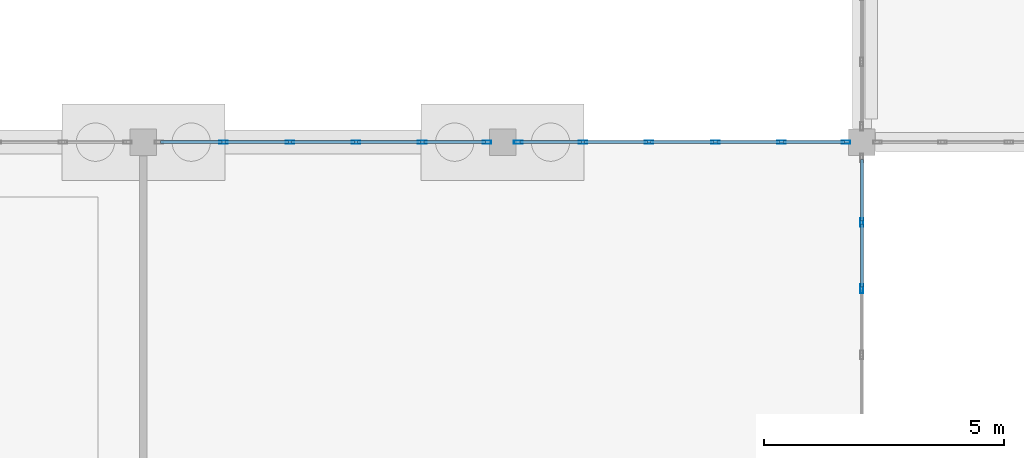
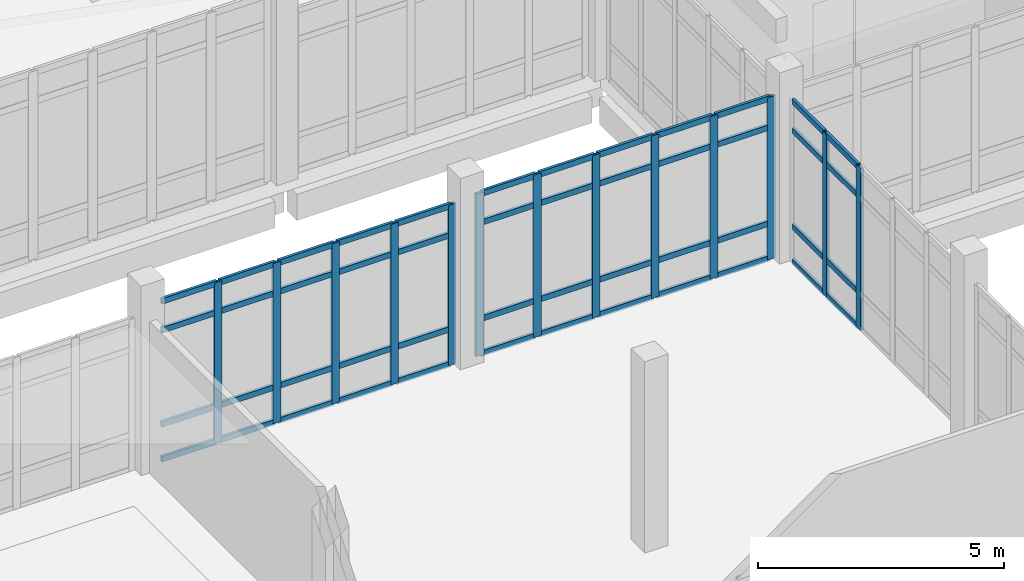
# One storey, part 61 of 173: 61 members, 3 elements without a shape of their own.
"""IFC4 building model written with IfcOpenShell, lengths in metres."""

from ifc_helpers import new_model, si_unit, direction, frame, origin, origin_2d, place, context, subcontext, project, spatial, hollow_rectangle, extrude, material, layer, layer_set, material_profile, profile_set, type_object, element, aggregate, save


model = new_model("IFC4")

# Units and contexts
model_context = context("Model", 3, precision=1e-05, world=origin(), true_north=direction((0.0, 1.0)))
body_context = subcontext(model_context, "Body", "Model", "MODEL_VIEW")
ifc_project = project(units=[si_unit("LENGTHUNIT", "METRE"), si_unit("AREAUNIT", "SQUARE_METRE"), si_unit("VOLUMEUNIT", "CUBIC_METRE"), si_unit("PLANEANGLEUNIT", "RADIAN"), si_unit("MASSUNIT", "GRAM", prefix="KILO")], contexts=[model_context])

# Site, building, storey
site_placement = place(None, origin())
site = spatial("IfcSite", under=ifc_project, at=site_placement, CompositionType="ELEMENT")
building_placement = place(site_placement, origin())
building = spatial("IfcBuilding", under=site, at=building_placement, Name="Mawjan Specialist Oncology Clinic", CompositionType="ELEMENT")
storey_placement = place(building_placement, origin())
storey = spatial("IfcBuildingStorey", under=building, at=storey_placement, Name="L00", CompositionType="ELEMENT", Elevation=0.0)

# Curtain wall, members
ifc_material_1 = material(Name="Unitised spectrally selective aluminium curtain wall", Category="aluminium")
ifc_layer_1 = layer(ifc_material_1, 0.179931640625, Name="Unitised spectrally selective aluminium curtain wall", Category="aluminium")
ifc_layer_set_1 = layer_set([ifc_layer_1], Name="Unitised spectrally selective aluminium curtain wall")
curtain_wall_type_1 = type_object("IfcCurtainWallType", Name="CW-08", PredefinedType="NOTDEFINED", material=ifc_layer_set_1)
curtain_wall_1_placement = place(storey_placement, origin())
curtain_wall_1 = element("IfcCurtainWall", 1, at=curtain_wall_1_placement, inside=storey, type_object=curtain_wall_type_1, Name="L00 Unitised Curtain Wall CW-L00-013", PredefinedType="NOTDEFINED")
ifc_material_2 = material(Name="Thermally broken aluminium 6063-T6", Category="aluminium")
ifc_material_profile_1 = material_profile(ifc_material_2, hollow_rectangle(XDim=0.06494140625, YDim=0.179931640625, WallThickness=0.00390625, at=origin_2d()), Name="ALU MULLION 180x65x4", Category="aluminium")
ifc_profile_set_1 = profile_set([ifc_material_profile_1], Name="Thermally broken aluminium 6063-T6")
member_type_1 = type_object("IfcMemberType", Name="CW-M180", PredefinedType="MULLION", material=ifc_profile_set_1)
member_1_placement = place(storey_placement, frame((31.677001953125, 75.800048828125, 0.0), z_axis=(0.0, 0.0, 1.0), x_axis=(0.0, 1.0, 0.0)))
member_1 = element("IfcMember", 2, at=member_1_placement, type_object=member_type_1, Name="CW-08 mullion 2", PredefinedType="MULLION", context=body_context, shape_type="SweptSolid", body=[
    extrude(hollow_rectangle(XDim=0.06494140625, YDim=0.179931640625, WallThickness=0.00390625, at=origin_2d()), origin(), (0.0, 0.0, 1.0), 3.985107421875),
])
member_2_placement = place(storey_placement, frame((33.05908203125, 75.800048828125, 0.0), z_axis=(0.0, 0.0, 1.0), x_axis=(0.0, 1.0, 0.0)))
member_2 = element("IfcMember", 3, at=member_2_placement, type_object=member_type_1, Name="CW-08 mullion 3", PredefinedType="MULLION", context=body_context, shape_type="SweptSolid", body=[
    extrude(hollow_rectangle(XDim=0.06494140625, YDim=0.179931640625, WallThickness=0.00390625, at=origin_2d()), origin(), (0.0, 0.0, 1.0), 3.985107421875),
])
member_3_placement = place(storey_placement, frame((34.44091796875, 75.800048828125, 0.0), z_axis=(0.0, 0.0, 1.0), x_axis=(0.0, 1.0, 0.0)))
member_3 = element("IfcMember", 4, at=member_3_placement, type_object=member_type_1, Name="CW-08 mullion 4", PredefinedType="MULLION", context=body_context, shape_type="SweptSolid", body=[
    extrude(hollow_rectangle(XDim=0.06494140625, YDim=0.179931640625, WallThickness=0.00390625, at=origin_2d()), origin(), (0.0, 0.0, 1.0), 3.985107421875),
])
member_4_placement = place(storey_placement, frame((35.822998046875, 75.800048828125, 0.0), z_axis=(0.0, 0.0, 1.0), x_axis=(0.0, 1.0, 0.0)))
member_4 = element("IfcMember", 5, at=member_4_placement, type_object=member_type_1, Name="CW-08 mullion 5", PredefinedType="MULLION", context=body_context, shape_type="SweptSolid", body=[
    extrude(hollow_rectangle(XDim=0.06494140625, YDim=0.179931640625, WallThickness=0.00390625, at=origin_2d()), origin(), (0.0, 0.0, 1.0), 3.985107421875),
])
member_5_placement = place(storey_placement, frame((37.172607421875, 75.800048828125, 0.0), z_axis=(0.0, 0.0, 1.0), x_axis=(0.0, 1.0, 0.0)))
member_5 = element("IfcMember", 6, at=member_5_placement, type_object=member_type_1, Name="CW-08 mullion 6", PredefinedType="MULLION", context=body_context, shape_type="SweptSolid", body=[
    extrude(hollow_rectangle(XDim=0.06494140625, YDim=0.179931640625, WallThickness=0.00390625, at=origin_2d()), origin(), (0.0, 0.0, 1.0), 3.985107421875),
])

ifc_material_3 = material(Name="Unitised spectrally selective aluminium curtain wall", Category="aluminium")
ifc_layer_2 = layer(ifc_material_3, 0.179931640625, Name="Unitised spectrally selective aluminium curtain wall", Category="aluminium")
ifc_layer_set_2 = layer_set([ifc_layer_2], Name="Unitised spectrally selective aluminium curtain wall")
curtain_wall_type_2 = type_object("IfcCurtainWallType", Name="CW-09", PredefinedType="NOTDEFINED", material=ifc_layer_set_2)
curtain_wall_2_placement = place(storey_placement, origin())
curtain_wall_2 = element("IfcCurtainWall", 7, at=curtain_wall_2_placement, inside=storey, type_object=curtain_wall_type_2, Name="L00 Unitised Curtain Wall CW-L00-014", PredefinedType="NOTDEFINED")
member_6_placement = place(storey_placement, frame((37.827392578125, 75.800048828125, 0.0), z_axis=(0.0, 0.0, 1.0), x_axis=(0.0, 1.0, 0.0)))
member_6 = element("IfcMember", 8, at=member_6_placement, type_object=member_type_1, Name="CW-09 mullion 1", PredefinedType="MULLION", context=body_context, shape_type="SweptSolid", body=[
    extrude(hollow_rectangle(XDim=0.06494140625, YDim=0.179931640625, WallThickness=0.00390625, at=origin_2d()), origin(), (0.0, 0.0, 1.0), 4.034912109375),
])
member_7_placement = place(storey_placement, frame((39.177001953125, 75.800048828125, 0.0), z_axis=(0.0, 0.0, 1.0), x_axis=(0.0, 1.0, 0.0)))
member_7 = element("IfcMember", 9, at=member_7_placement, type_object=member_type_1, Name="CW-09 mullion 2", PredefinedType="MULLION", context=body_context, shape_type="SweptSolid", body=[
    extrude(hollow_rectangle(XDim=0.06494140625, YDim=0.179931640625, WallThickness=0.00390625, at=origin_2d()), origin(), (0.0, 0.0, 1.0), 4.034912109375),
])
member_8_placement = place(storey_placement, frame((40.55908203125, 75.800048828125, 0.0), z_axis=(0.0, 0.0, 1.0), x_axis=(0.0, 1.0, 0.0)))
member_8 = element("IfcMember", 10, at=member_8_placement, type_object=member_type_1, Name="CW-09 mullion 3", PredefinedType="MULLION", context=body_context, shape_type="SweptSolid", body=[
    extrude(hollow_rectangle(XDim=0.06494140625, YDim=0.179931640625, WallThickness=0.00390625, at=origin_2d()), origin(), (0.0, 0.0, 1.0), 4.034912109375),
])
member_9_placement = place(storey_placement, frame((41.94091796875, 75.800048828125, 0.0), z_axis=(0.0, 0.0, 1.0), x_axis=(0.0, 1.0, 0.0)))
member_9 = element("IfcMember", 11, at=member_9_placement, type_object=member_type_1, Name="CW-09 mullion 4", PredefinedType="MULLION", context=body_context, shape_type="SweptSolid", body=[
    extrude(hollow_rectangle(XDim=0.06494140625, YDim=0.179931640625, WallThickness=0.00390625, at=origin_2d()), origin(), (0.0, 0.0, 1.0), 4.034912109375),
])
member_10_placement = place(storey_placement, frame((43.322998046875, 75.800048828125, 0.0), z_axis=(0.0, 0.0, 1.0), x_axis=(0.0, 1.0, 0.0)))
member_10 = element("IfcMember", 12, at=member_10_placement, type_object=member_type_1, Name="CW-09 mullion 5", PredefinedType="MULLION", context=body_context, shape_type="SweptSolid", body=[
    extrude(hollow_rectangle(XDim=0.06494140625, YDim=0.179931640625, WallThickness=0.00390625, at=origin_2d()), origin(), (0.0, 0.0, 1.0), 4.034912109375),
])
member_11_placement = place(storey_placement, frame((44.672607421875, 75.800048828125, 0.0), z_axis=(0.0, 0.0, 1.0), x_axis=(0.0, 1.0, 0.0)))
member_11 = element("IfcMember", 13, at=member_11_placement, type_object=member_type_1, Name="CW-09 mullion 6", PredefinedType="MULLION", context=body_context, shape_type="SweptSolid", body=[
    extrude(hollow_rectangle(XDim=0.06494140625, YDim=0.179931640625, WallThickness=0.00390625, at=origin_2d()), origin(), (0.0, 0.0, 1.0), 4.034912109375),
])

curtain_wall_3_placement = place(storey_placement, origin())
curtain_wall_3 = element("IfcCurtainWall", 14, at=curtain_wall_3_placement, inside=storey, type_object=curtain_wall_type_2, Name="L00 Unitised Curtain Wall CW-L00-045", PredefinedType="NOTDEFINED")
member_12_placement = place(storey_placement, frame((45.0, 74.123046875, 0.0), z_axis=(0.0, 0.0, 1.0), x_axis=(1.0, 0.0, 0.0)))
member_12 = element("IfcMember", 15, at=member_12_placement, type_object=member_type_1, Name="CW-09 mullion 2", PredefinedType="MULLION", context=body_context, shape_type="SweptSolid", body=[
    extrude(hollow_rectangle(XDim=0.06494140625, YDim=0.179931640625, WallThickness=0.00390625, at=origin_2d()), origin(), (0.0, 0.0, 1.0), 4.034912109375),
])
member_13_placement = place(storey_placement, frame((45.0, 72.740966796875, 0.0), z_axis=(0.0, 0.0, 1.0), x_axis=(1.0, 0.0, 0.0)))
member_13 = element("IfcMember", 16, at=member_13_placement, type_object=member_type_1, Name="CW-09 mullion 3", PredefinedType="MULLION", context=body_context, shape_type="SweptSolid", body=[
    extrude(hollow_rectangle(XDim=0.06494140625, YDim=0.179931640625, WallThickness=0.00390625, at=origin_2d()), origin(), (0.0, 0.0, 1.0), 4.034912109375),
])

# Member
ifc_material_4 = material(Name="Thermally broken aluminium 6063-T6", Category="aluminium")
ifc_material_profile_2 = material_profile(ifc_material_4, hollow_rectangle(XDim=0.06494140625, YDim=0.139892578125, WallThickness=0.00390625, at=origin_2d()), Name="ALU TRANSOM 140x65x4", Category="aluminium")
ifc_profile_set_2 = profile_set([ifc_material_profile_2], Name="Thermally broken aluminium 6063-T6")
member_type_2 = type_object("IfcMemberType", Name="CW-T140", PredefinedType="USERDEFINED", material=ifc_profile_set_2)
member_14_placement = place(storey_placement, frame((30.360107421875, 75.800048828125, 0.032470703125), z_axis=(1.0, 0.0, 0.0), x_axis=(0.0, 1.0, 0.0)))
member_14 = element("IfcMember", 17, at=member_14_placement, type_object=member_type_2, Name="CW-08 transom 1.1", ObjectType="TRANSOM", PredefinedType="USERDEFINED", context=body_context, shape_type="SweptSolid", body=[
    extrude(hollow_rectangle(XDim=0.06494140625, YDim=0.139892578125, WallThickness=0.00390625, at=origin_2d()), origin(), (0.0, 0.0, 1.0), 1.284423828125),
])

member_15_placement = place(storey_placement, frame((30.360107421875, 75.800048828125, 0.89990234375), z_axis=(1.0, 0.0, 0.0), x_axis=(0.0, 1.0, 0.0)))
member_15 = element("IfcMember", 18, at=member_15_placement, type_object=member_type_2, Name="CW-08 transom 1.2", ObjectType="TRANSOM", PredefinedType="USERDEFINED", context=body_context, shape_type="SweptSolid", body=[
    extrude(hollow_rectangle(XDim=0.06494140625, YDim=0.139892578125, WallThickness=0.00390625, at=origin_2d()), origin(), (0.0, 0.0, 1.0), 1.284423828125),
])

member_16_placement = place(storey_placement, frame((30.360107421875, 75.800048828125, 3.235107421875), z_axis=(1.0, 0.0, 0.0), x_axis=(0.0, 1.0, 0.0)))
member_16 = element("IfcMember", 19, at=member_16_placement, type_object=member_type_2, Name="CW-08 transom 1.3", ObjectType="TRANSOM", PredefinedType="USERDEFINED", context=body_context, shape_type="SweptSolid", body=[
    extrude(hollow_rectangle(XDim=0.06494140625, YDim=0.139892578125, WallThickness=0.00390625, at=origin_2d()), origin(), (0.0, 0.0, 1.0), 1.284423828125),
])

member_17_placement = place(storey_placement, frame((30.360107421875, 75.800048828125, 3.952392578125), z_axis=(1.0, 0.0, 0.0), x_axis=(0.0, 1.0, 0.0)))
member_17 = element("IfcMember", 20, at=member_17_placement, type_object=member_type_2, Name="CW-08 transom 1.4", ObjectType="TRANSOM", PredefinedType="USERDEFINED", context=body_context, shape_type="SweptSolid", body=[
    extrude(hollow_rectangle(XDim=0.06494140625, YDim=0.139892578125, WallThickness=0.00390625, at=origin_2d()), origin(), (0.0, 0.0, 1.0), 1.284423828125),
])

member_18_placement = place(storey_placement, frame((31.70947265625, 75.800048828125, 0.032470703125), z_axis=(1.0, 0.0, 0.0), x_axis=(0.0, 1.0, 0.0)))
member_18 = element("IfcMember", 21, at=member_18_placement, type_object=member_type_2, Name="CW-08 transom 2.1", ObjectType="TRANSOM", PredefinedType="USERDEFINED", context=body_context, shape_type="SweptSolid", body=[
    extrude(hollow_rectangle(XDim=0.06494140625, YDim=0.139892578125, WallThickness=0.00390625, at=origin_2d()), origin(), (0.0, 0.0, 1.0), 1.317138671875),
])

member_19_placement = place(storey_placement, frame((31.70947265625, 75.800048828125, 0.89990234375), z_axis=(1.0, 0.0, 0.0), x_axis=(0.0, 1.0, 0.0)))
member_19 = element("IfcMember", 22, at=member_19_placement, type_object=member_type_2, Name="CW-08 transom 2.2", ObjectType="TRANSOM", PredefinedType="USERDEFINED", context=body_context, shape_type="SweptSolid", body=[
    extrude(hollow_rectangle(XDim=0.06494140625, YDim=0.139892578125, WallThickness=0.00390625, at=origin_2d()), origin(), (0.0, 0.0, 1.0), 1.317138671875),
])

member_20_placement = place(storey_placement, frame((31.70947265625, 75.800048828125, 3.235107421875), z_axis=(1.0, 0.0, 0.0), x_axis=(0.0, 1.0, 0.0)))
member_20 = element("IfcMember", 23, at=member_20_placement, type_object=member_type_2, Name="CW-08 transom 2.3", ObjectType="TRANSOM", PredefinedType="USERDEFINED", context=body_context, shape_type="SweptSolid", body=[
    extrude(hollow_rectangle(XDim=0.06494140625, YDim=0.139892578125, WallThickness=0.00390625, at=origin_2d()), origin(), (0.0, 0.0, 1.0), 1.317138671875),
])

member_21_placement = place(storey_placement, frame((31.70947265625, 75.800048828125, 3.952392578125), z_axis=(1.0, 0.0, 0.0), x_axis=(0.0, 1.0, 0.0)))
member_21 = element("IfcMember", 24, at=member_21_placement, type_object=member_type_2, Name="CW-08 transom 2.4", ObjectType="TRANSOM", PredefinedType="USERDEFINED", context=body_context, shape_type="SweptSolid", body=[
    extrude(hollow_rectangle(XDim=0.06494140625, YDim=0.139892578125, WallThickness=0.00390625, at=origin_2d()), origin(), (0.0, 0.0, 1.0), 1.317138671875),
])

member_22_placement = place(storey_placement, frame((33.091552734375, 75.800048828125, 0.032470703125), z_axis=(1.0, 0.0, 0.0), x_axis=(0.0, 1.0, 0.0)))
member_22 = element("IfcMember", 25, at=member_22_placement, type_object=member_type_2, Name="CW-08 transom 3.1", ObjectType="TRANSOM", PredefinedType="USERDEFINED", context=body_context, shape_type="SweptSolid", body=[
    extrude(hollow_rectangle(XDim=0.06494140625, YDim=0.139892578125, WallThickness=0.00390625, at=origin_2d()), origin(), (0.0, 0.0, 1.0), 1.31689453125),
])

member_23_placement = place(storey_placement, frame((33.091552734375, 75.800048828125, 0.89990234375), z_axis=(1.0, 0.0, 0.0), x_axis=(0.0, 1.0, 0.0)))
member_23 = element("IfcMember", 26, at=member_23_placement, type_object=member_type_2, Name="CW-08 transom 3.2", ObjectType="TRANSOM", PredefinedType="USERDEFINED", context=body_context, shape_type="SweptSolid", body=[
    extrude(hollow_rectangle(XDim=0.06494140625, YDim=0.139892578125, WallThickness=0.00390625, at=origin_2d()), origin(), (0.0, 0.0, 1.0), 1.31689453125),
])

member_24_placement = place(storey_placement, frame((33.091552734375, 75.800048828125, 3.235107421875), z_axis=(1.0, 0.0, 0.0), x_axis=(0.0, 1.0, 0.0)))
member_24 = element("IfcMember", 27, at=member_24_placement, type_object=member_type_2, Name="CW-08 transom 3.3", ObjectType="TRANSOM", PredefinedType="USERDEFINED", context=body_context, shape_type="SweptSolid", body=[
    extrude(hollow_rectangle(XDim=0.06494140625, YDim=0.139892578125, WallThickness=0.00390625, at=origin_2d()), origin(), (0.0, 0.0, 1.0), 1.31689453125),
])

member_25_placement = place(storey_placement, frame((33.091552734375, 75.800048828125, 3.952392578125), z_axis=(1.0, 0.0, 0.0), x_axis=(0.0, 1.0, 0.0)))
member_25 = element("IfcMember", 28, at=member_25_placement, type_object=member_type_2, Name="CW-08 transom 3.4", ObjectType="TRANSOM", PredefinedType="USERDEFINED", context=body_context, shape_type="SweptSolid", body=[
    extrude(hollow_rectangle(XDim=0.06494140625, YDim=0.139892578125, WallThickness=0.00390625, at=origin_2d()), origin(), (0.0, 0.0, 1.0), 1.31689453125),
])

member_26_placement = place(storey_placement, frame((34.473388671875, 75.800048828125, 0.032470703125), z_axis=(1.0, 0.0, 0.0), x_axis=(0.0, 1.0, 0.0)))
member_26 = element("IfcMember", 29, at=member_26_placement, type_object=member_type_2, Name="CW-08 transom 4.1", ObjectType="TRANSOM", PredefinedType="USERDEFINED", context=body_context, shape_type="SweptSolid", body=[
    extrude(hollow_rectangle(XDim=0.06494140625, YDim=0.139892578125, WallThickness=0.00390625, at=origin_2d()), origin(), (0.0, 0.0, 1.0), 1.317138671875),
])

member_27_placement = place(storey_placement, frame((34.473388671875, 75.800048828125, 0.89990234375), z_axis=(1.0, 0.0, 0.0), x_axis=(0.0, 1.0, 0.0)))
member_27 = element("IfcMember", 30, at=member_27_placement, type_object=member_type_2, Name="CW-08 transom 4.2", ObjectType="TRANSOM", PredefinedType="USERDEFINED", context=body_context, shape_type="SweptSolid", body=[
    extrude(hollow_rectangle(XDim=0.06494140625, YDim=0.139892578125, WallThickness=0.00390625, at=origin_2d()), origin(), (0.0, 0.0, 1.0), 1.317138671875),
])

member_28_placement = place(storey_placement, frame((34.473388671875, 75.800048828125, 3.235107421875), z_axis=(1.0, 0.0, 0.0), x_axis=(0.0, 1.0, 0.0)))
member_28 = element("IfcMember", 31, at=member_28_placement, type_object=member_type_2, Name="CW-08 transom 4.3", ObjectType="TRANSOM", PredefinedType="USERDEFINED", context=body_context, shape_type="SweptSolid", body=[
    extrude(hollow_rectangle(XDim=0.06494140625, YDim=0.139892578125, WallThickness=0.00390625, at=origin_2d()), origin(), (0.0, 0.0, 1.0), 1.317138671875),
])

member_29_placement = place(storey_placement, frame((34.473388671875, 75.800048828125, 3.952392578125), z_axis=(1.0, 0.0, 0.0), x_axis=(0.0, 1.0, 0.0)))
member_29 = element("IfcMember", 32, at=member_29_placement, type_object=member_type_2, Name="CW-08 transom 4.4", ObjectType="TRANSOM", PredefinedType="USERDEFINED", context=body_context, shape_type="SweptSolid", body=[
    extrude(hollow_rectangle(XDim=0.06494140625, YDim=0.139892578125, WallThickness=0.00390625, at=origin_2d()), origin(), (0.0, 0.0, 1.0), 1.317138671875),
])

member_30_placement = place(storey_placement, frame((35.85546875, 75.800048828125, 0.032470703125), z_axis=(1.0, 0.0, 0.0), x_axis=(0.0, 1.0, 0.0)))
member_30 = element("IfcMember", 33, at=member_30_placement, type_object=member_type_2, Name="CW-08 transom 5.1", ObjectType="TRANSOM", PredefinedType="USERDEFINED", context=body_context, shape_type="SweptSolid", body=[
    extrude(hollow_rectangle(XDim=0.06494140625, YDim=0.139892578125, WallThickness=0.00390625, at=origin_2d()), origin(), (0.0, 0.0, 1.0), 1.284423828125),
])

member_31_placement = place(storey_placement, frame((35.85546875, 75.800048828125, 0.89990234375), z_axis=(1.0, 0.0, 0.0), x_axis=(0.0, 1.0, 0.0)))
member_31 = element("IfcMember", 34, at=member_31_placement, type_object=member_type_2, Name="CW-08 transom 5.2", ObjectType="TRANSOM", PredefinedType="USERDEFINED", context=body_context, shape_type="SweptSolid", body=[
    extrude(hollow_rectangle(XDim=0.06494140625, YDim=0.139892578125, WallThickness=0.00390625, at=origin_2d()), origin(), (0.0, 0.0, 1.0), 1.284423828125),
])

member_32_placement = place(storey_placement, frame((35.85546875, 75.800048828125, 3.235107421875), z_axis=(1.0, 0.0, 0.0), x_axis=(0.0, 1.0, 0.0)))
member_32 = element("IfcMember", 35, at=member_32_placement, type_object=member_type_2, Name="CW-08 transom 5.3", ObjectType="TRANSOM", PredefinedType="USERDEFINED", context=body_context, shape_type="SweptSolid", body=[
    extrude(hollow_rectangle(XDim=0.06494140625, YDim=0.139892578125, WallThickness=0.00390625, at=origin_2d()), origin(), (0.0, 0.0, 1.0), 1.284423828125),
])

member_33_placement = place(storey_placement, frame((35.85546875, 75.800048828125, 3.952392578125), z_axis=(1.0, 0.0, 0.0), x_axis=(0.0, 1.0, 0.0)))
member_33 = element("IfcMember", 36, at=member_33_placement, type_object=member_type_2, Name="CW-08 transom 5.4", ObjectType="TRANSOM", PredefinedType="USERDEFINED", context=body_context, shape_type="SweptSolid", body=[
    extrude(hollow_rectangle(XDim=0.06494140625, YDim=0.139892578125, WallThickness=0.00390625, at=origin_2d()), origin(), (0.0, 0.0, 1.0), 1.284423828125),
])

aggregate(curtain_wall_1, [member_1, member_2, member_3, member_4, member_5, member_14, member_15, member_16, member_17, member_18, member_19, member_20, member_21, member_22, member_23, member_24, member_25, member_26, member_27, member_28, member_29, member_30, member_31, member_32, member_33])

member_34_placement = place(storey_placement, frame((37.860107421875, 75.800048828125, 0.032470703125), z_axis=(1.0, 0.0, 0.0), x_axis=(0.0, 1.0, 0.0)))
member_34 = element("IfcMember", 37, at=member_34_placement, type_object=member_type_2, Name="CW-09 transom 1.1", ObjectType="TRANSOM", PredefinedType="USERDEFINED", context=body_context, shape_type="SweptSolid", body=[
    extrude(hollow_rectangle(XDim=0.06494140625, YDim=0.139892578125, WallThickness=0.00390625, at=origin_2d()), origin(), (0.0, 0.0, 1.0), 1.284423828125),
])

member_35_placement = place(storey_placement, frame((37.860107421875, 75.800048828125, 0.89990234375), z_axis=(1.0, 0.0, 0.0), x_axis=(0.0, 1.0, 0.0)))
member_35 = element("IfcMember", 38, at=member_35_placement, type_object=member_type_2, Name="CW-09 transom 1.2", ObjectType="TRANSOM", PredefinedType="USERDEFINED", context=body_context, shape_type="SweptSolid", body=[
    extrude(hollow_rectangle(XDim=0.06494140625, YDim=0.139892578125, WallThickness=0.00390625, at=origin_2d()), origin(), (0.0, 0.0, 1.0), 1.284423828125),
])

member_36_placement = place(storey_placement, frame((37.860107421875, 75.800048828125, 3.284912109375), z_axis=(1.0, 0.0, 0.0), x_axis=(0.0, 1.0, 0.0)))
member_36 = element("IfcMember", 39, at=member_36_placement, type_object=member_type_2, Name="CW-09 transom 1.3", ObjectType="TRANSOM", PredefinedType="USERDEFINED", context=body_context, shape_type="SweptSolid", body=[
    extrude(hollow_rectangle(XDim=0.06494140625, YDim=0.139892578125, WallThickness=0.00390625, at=origin_2d()), origin(), (0.0, 0.0, 1.0), 1.284423828125),
])

member_37_placement = place(storey_placement, frame((37.860107421875, 75.800048828125, 4.00244140625), z_axis=(1.0, 0.0, 0.0), x_axis=(0.0, 1.0, 0.0)))
member_37 = element("IfcMember", 40, at=member_37_placement, type_object=member_type_2, Name="CW-09 transom 1.4", ObjectType="TRANSOM", PredefinedType="USERDEFINED", context=body_context, shape_type="SweptSolid", body=[
    extrude(hollow_rectangle(XDim=0.06494140625, YDim=0.139892578125, WallThickness=0.00390625, at=origin_2d()), origin(), (0.0, 0.0, 1.0), 1.284423828125),
])

member_38_placement = place(storey_placement, frame((39.20947265625, 75.800048828125, 0.032470703125), z_axis=(1.0, 0.0, 0.0), x_axis=(0.0, 1.0, 0.0)))
member_38 = element("IfcMember", 41, at=member_38_placement, type_object=member_type_2, Name="CW-09 transom 2.1", ObjectType="TRANSOM", PredefinedType="USERDEFINED", context=body_context, shape_type="SweptSolid", body=[
    extrude(hollow_rectangle(XDim=0.06494140625, YDim=0.139892578125, WallThickness=0.00390625, at=origin_2d()), origin(), (0.0, 0.0, 1.0), 1.317138671875),
])

member_39_placement = place(storey_placement, frame((39.20947265625, 75.800048828125, 0.89990234375), z_axis=(1.0, 0.0, 0.0), x_axis=(0.0, 1.0, 0.0)))
member_39 = element("IfcMember", 42, at=member_39_placement, type_object=member_type_2, Name="CW-09 transom 2.2", ObjectType="TRANSOM", PredefinedType="USERDEFINED", context=body_context, shape_type="SweptSolid", body=[
    extrude(hollow_rectangle(XDim=0.06494140625, YDim=0.139892578125, WallThickness=0.00390625, at=origin_2d()), origin(), (0.0, 0.0, 1.0), 1.317138671875),
])

member_40_placement = place(storey_placement, frame((39.20947265625, 75.800048828125, 3.284912109375), z_axis=(1.0, 0.0, 0.0), x_axis=(0.0, 1.0, 0.0)))
member_40 = element("IfcMember", 43, at=member_40_placement, type_object=member_type_2, Name="CW-09 transom 2.3", ObjectType="TRANSOM", PredefinedType="USERDEFINED", context=body_context, shape_type="SweptSolid", body=[
    extrude(hollow_rectangle(XDim=0.06494140625, YDim=0.139892578125, WallThickness=0.00390625, at=origin_2d()), origin(), (0.0, 0.0, 1.0), 1.317138671875),
])

member_41_placement = place(storey_placement, frame((39.20947265625, 75.800048828125, 4.00244140625), z_axis=(1.0, 0.0, 0.0), x_axis=(0.0, 1.0, 0.0)))
member_41 = element("IfcMember", 44, at=member_41_placement, type_object=member_type_2, Name="CW-09 transom 2.4", ObjectType="TRANSOM", PredefinedType="USERDEFINED", context=body_context, shape_type="SweptSolid", body=[
    extrude(hollow_rectangle(XDim=0.06494140625, YDim=0.139892578125, WallThickness=0.00390625, at=origin_2d()), origin(), (0.0, 0.0, 1.0), 1.317138671875),
])

member_42_placement = place(storey_placement, frame((40.591552734375, 75.800048828125, 0.032470703125), z_axis=(1.0, 0.0, 0.0), x_axis=(0.0, 1.0, 0.0)))
member_42 = element("IfcMember", 45, at=member_42_placement, type_object=member_type_2, Name="CW-09 transom 3.1", ObjectType="TRANSOM", PredefinedType="USERDEFINED", context=body_context, shape_type="SweptSolid", body=[
    extrude(hollow_rectangle(XDim=0.06494140625, YDim=0.139892578125, WallThickness=0.00390625, at=origin_2d()), origin(), (0.0, 0.0, 1.0), 1.31689453125),
])

member_43_placement = place(storey_placement, frame((40.591552734375, 75.800048828125, 0.89990234375), z_axis=(1.0, 0.0, 0.0), x_axis=(0.0, 1.0, 0.0)))
member_43 = element("IfcMember", 46, at=member_43_placement, type_object=member_type_2, Name="CW-09 transom 3.2", ObjectType="TRANSOM", PredefinedType="USERDEFINED", context=body_context, shape_type="SweptSolid", body=[
    extrude(hollow_rectangle(XDim=0.06494140625, YDim=0.139892578125, WallThickness=0.00390625, at=origin_2d()), origin(), (0.0, 0.0, 1.0), 1.31689453125),
])

member_44_placement = place(storey_placement, frame((40.591552734375, 75.800048828125, 3.284912109375), z_axis=(1.0, 0.0, 0.0), x_axis=(0.0, 1.0, 0.0)))
member_44 = element("IfcMember", 47, at=member_44_placement, type_object=member_type_2, Name="CW-09 transom 3.3", ObjectType="TRANSOM", PredefinedType="USERDEFINED", context=body_context, shape_type="SweptSolid", body=[
    extrude(hollow_rectangle(XDim=0.06494140625, YDim=0.139892578125, WallThickness=0.00390625, at=origin_2d()), origin(), (0.0, 0.0, 1.0), 1.31689453125),
])

member_45_placement = place(storey_placement, frame((40.591552734375, 75.800048828125, 4.00244140625), z_axis=(1.0, 0.0, 0.0), x_axis=(0.0, 1.0, 0.0)))
member_45 = element("IfcMember", 48, at=member_45_placement, type_object=member_type_2, Name="CW-09 transom 3.4", ObjectType="TRANSOM", PredefinedType="USERDEFINED", context=body_context, shape_type="SweptSolid", body=[
    extrude(hollow_rectangle(XDim=0.06494140625, YDim=0.139892578125, WallThickness=0.00390625, at=origin_2d()), origin(), (0.0, 0.0, 1.0), 1.31689453125),
])

member_46_placement = place(storey_placement, frame((41.973388671875, 75.800048828125, 0.032470703125), z_axis=(1.0, 0.0, 0.0), x_axis=(0.0, 1.0, 0.0)))
member_46 = element("IfcMember", 49, at=member_46_placement, type_object=member_type_2, Name="CW-09 transom 4.1", ObjectType="TRANSOM", PredefinedType="USERDEFINED", context=body_context, shape_type="SweptSolid", body=[
    extrude(hollow_rectangle(XDim=0.06494140625, YDim=0.139892578125, WallThickness=0.00390625, at=origin_2d()), origin(), (0.0, 0.0, 1.0), 1.317138671875),
])

member_47_placement = place(storey_placement, frame((41.973388671875, 75.800048828125, 0.89990234375), z_axis=(1.0, 0.0, 0.0), x_axis=(0.0, 1.0, 0.0)))
member_47 = element("IfcMember", 50, at=member_47_placement, type_object=member_type_2, Name="CW-09 transom 4.2", ObjectType="TRANSOM", PredefinedType="USERDEFINED", context=body_context, shape_type="SweptSolid", body=[
    extrude(hollow_rectangle(XDim=0.06494140625, YDim=0.139892578125, WallThickness=0.00390625, at=origin_2d()), origin(), (0.0, 0.0, 1.0), 1.317138671875),
])

member_48_placement = place(storey_placement, frame((41.973388671875, 75.800048828125, 3.284912109375), z_axis=(1.0, 0.0, 0.0), x_axis=(0.0, 1.0, 0.0)))
member_48 = element("IfcMember", 51, at=member_48_placement, type_object=member_type_2, Name="CW-09 transom 4.3", ObjectType="TRANSOM", PredefinedType="USERDEFINED", context=body_context, shape_type="SweptSolid", body=[
    extrude(hollow_rectangle(XDim=0.06494140625, YDim=0.139892578125, WallThickness=0.00390625, at=origin_2d()), origin(), (0.0, 0.0, 1.0), 1.317138671875),
])

member_49_placement = place(storey_placement, frame((41.973388671875, 75.800048828125, 4.00244140625), z_axis=(1.0, 0.0, 0.0), x_axis=(0.0, 1.0, 0.0)))
member_49 = element("IfcMember", 52, at=member_49_placement, type_object=member_type_2, Name="CW-09 transom 4.4", ObjectType="TRANSOM", PredefinedType="USERDEFINED", context=body_context, shape_type="SweptSolid", body=[
    extrude(hollow_rectangle(XDim=0.06494140625, YDim=0.139892578125, WallThickness=0.00390625, at=origin_2d()), origin(), (0.0, 0.0, 1.0), 1.317138671875),
])

member_50_placement = place(storey_placement, frame((43.35546875, 75.800048828125, 0.032470703125), z_axis=(1.0, 0.0, 0.0), x_axis=(0.0, 1.0, 0.0)))
member_50 = element("IfcMember", 53, at=member_50_placement, type_object=member_type_2, Name="CW-09 transom 5.1", ObjectType="TRANSOM", PredefinedType="USERDEFINED", context=body_context, shape_type="SweptSolid", body=[
    extrude(hollow_rectangle(XDim=0.06494140625, YDim=0.139892578125, WallThickness=0.00390625, at=origin_2d()), origin(), (0.0, 0.0, 1.0), 1.284423828125),
])

member_51_placement = place(storey_placement, frame((43.35546875, 75.800048828125, 0.89990234375), z_axis=(1.0, 0.0, 0.0), x_axis=(0.0, 1.0, 0.0)))
member_51 = element("IfcMember", 54, at=member_51_placement, type_object=member_type_2, Name="CW-09 transom 5.2", ObjectType="TRANSOM", PredefinedType="USERDEFINED", context=body_context, shape_type="SweptSolid", body=[
    extrude(hollow_rectangle(XDim=0.06494140625, YDim=0.139892578125, WallThickness=0.00390625, at=origin_2d()), origin(), (0.0, 0.0, 1.0), 1.284423828125),
])

member_52_placement = place(storey_placement, frame((43.35546875, 75.800048828125, 3.284912109375), z_axis=(1.0, 0.0, 0.0), x_axis=(0.0, 1.0, 0.0)))
member_52 = element("IfcMember", 55, at=member_52_placement, type_object=member_type_2, Name="CW-09 transom 5.3", ObjectType="TRANSOM", PredefinedType="USERDEFINED", context=body_context, shape_type="SweptSolid", body=[
    extrude(hollow_rectangle(XDim=0.06494140625, YDim=0.139892578125, WallThickness=0.00390625, at=origin_2d()), origin(), (0.0, 0.0, 1.0), 1.284423828125),
])

member_53_placement = place(storey_placement, frame((43.35546875, 75.800048828125, 4.00244140625), z_axis=(1.0, 0.0, 0.0), x_axis=(0.0, 1.0, 0.0)))
member_53 = element("IfcMember", 56, at=member_53_placement, type_object=member_type_2, Name="CW-09 transom 5.4", ObjectType="TRANSOM", PredefinedType="USERDEFINED", context=body_context, shape_type="SweptSolid", body=[
    extrude(hollow_rectangle(XDim=0.06494140625, YDim=0.139892578125, WallThickness=0.00390625, at=origin_2d()), origin(), (0.0, 0.0, 1.0), 1.284423828125),
])

aggregate(curtain_wall_2, [member_6, member_7, member_8, member_9, member_10, member_11, member_34, member_35, member_36, member_37, member_38, member_39, member_40, member_41, member_42, member_43, member_44, member_45, member_46, member_47, member_48, member_49, member_50, member_51, member_52, member_53])

member_54_placement = place(storey_placement, frame((45.0, 75.43994140625, 0.032470703125), z_axis=(0.0, -1.0, 0.0), x_axis=(1.0, 0.0, 0.0)))
member_54 = element("IfcMember", 57, at=member_54_placement, type_object=member_type_2, Name="CW-09 transom 1.1", ObjectType="TRANSOM", PredefinedType="USERDEFINED", context=body_context, shape_type="SweptSolid", body=[
    extrude(hollow_rectangle(XDim=0.06494140625, YDim=0.139892578125, WallThickness=0.00390625, at=origin_2d()), origin(), (0.0, 0.0, 1.0), 1.284423828125),
])

member_55_placement = place(storey_placement, frame((45.0, 75.43994140625, 0.89990234375), z_axis=(0.0, -1.0, 0.0), x_axis=(1.0, 0.0, 0.0)))
member_55 = element("IfcMember", 58, at=member_55_placement, type_object=member_type_2, Name="CW-09 transom 1.2", ObjectType="TRANSOM", PredefinedType="USERDEFINED", context=body_context, shape_type="SweptSolid", body=[
    extrude(hollow_rectangle(XDim=0.06494140625, YDim=0.139892578125, WallThickness=0.00390625, at=origin_2d()), origin(), (0.0, 0.0, 1.0), 1.284423828125),
])

member_56_placement = place(storey_placement, frame((45.0, 75.43994140625, 3.284912109375), z_axis=(0.0, -1.0, 0.0), x_axis=(1.0, 0.0, 0.0)))
member_56 = element("IfcMember", 59, at=member_56_placement, type_object=member_type_2, Name="CW-09 transom 1.3", ObjectType="TRANSOM", PredefinedType="USERDEFINED", context=body_context, shape_type="SweptSolid", body=[
    extrude(hollow_rectangle(XDim=0.06494140625, YDim=0.139892578125, WallThickness=0.00390625, at=origin_2d()), origin(), (0.0, 0.0, 1.0), 1.284423828125),
])

member_57_placement = place(storey_placement, frame((45.0, 75.43994140625, 4.00244140625), z_axis=(0.0, -1.0, 0.0), x_axis=(1.0, 0.0, 0.0)))
member_57 = element("IfcMember", 60, at=member_57_placement, type_object=member_type_2, Name="CW-09 transom 1.4", ObjectType="TRANSOM", PredefinedType="USERDEFINED", context=body_context, shape_type="SweptSolid", body=[
    extrude(hollow_rectangle(XDim=0.06494140625, YDim=0.139892578125, WallThickness=0.00390625, at=origin_2d()), origin(), (0.0, 0.0, 1.0), 1.284423828125),
])

member_58_placement = place(storey_placement, frame((45.0, 74.090576171875, 0.032470703125), z_axis=(0.0, -1.0, 0.0), x_axis=(1.0, 0.0, 0.0)))
member_58 = element("IfcMember", 61, at=member_58_placement, type_object=member_type_2, Name="CW-09 transom 2.1", ObjectType="TRANSOM", PredefinedType="USERDEFINED", context=body_context, shape_type="SweptSolid", body=[
    extrude(hollow_rectangle(XDim=0.06494140625, YDim=0.139892578125, WallThickness=0.00390625, at=origin_2d()), origin(), (0.0, 0.0, 1.0), 1.317138671875),
])

member_59_placement = place(storey_placement, frame((45.0, 74.090576171875, 0.89990234375), z_axis=(0.0, -1.0, 0.0), x_axis=(1.0, 0.0, 0.0)))
member_59 = element("IfcMember", 62, at=member_59_placement, type_object=member_type_2, Name="CW-09 transom 2.2", ObjectType="TRANSOM", PredefinedType="USERDEFINED", context=body_context, shape_type="SweptSolid", body=[
    extrude(hollow_rectangle(XDim=0.06494140625, YDim=0.139892578125, WallThickness=0.00390625, at=origin_2d()), origin(), (0.0, 0.0, 1.0), 1.317138671875),
])

member_60_placement = place(storey_placement, frame((45.0, 74.090576171875, 3.284912109375), z_axis=(0.0, -1.0, 0.0), x_axis=(1.0, 0.0, 0.0)))
member_60 = element("IfcMember", 63, at=member_60_placement, type_object=member_type_2, Name="CW-09 transom 2.3", ObjectType="TRANSOM", PredefinedType="USERDEFINED", context=body_context, shape_type="SweptSolid", body=[
    extrude(hollow_rectangle(XDim=0.06494140625, YDim=0.139892578125, WallThickness=0.00390625, at=origin_2d()), origin(), (0.0, 0.0, 1.0), 1.317138671875),
])

member_61_placement = place(storey_placement, frame((45.0, 74.090576171875, 4.00244140625), z_axis=(0.0, -1.0, 0.0), x_axis=(1.0, 0.0, 0.0)))
member_61 = element("IfcMember", 64, at=member_61_placement, type_object=member_type_2, Name="CW-09 transom 2.4", ObjectType="TRANSOM", PredefinedType="USERDEFINED", context=body_context, shape_type="SweptSolid", body=[
    extrude(hollow_rectangle(XDim=0.06494140625, YDim=0.139892578125, WallThickness=0.00390625, at=origin_2d()), origin(), (0.0, 0.0, 1.0), 1.317138671875),
])

aggregate(curtain_wall_3, [member_12, member_13, member_54, member_55, member_56, member_57, member_58, member_59, member_60, member_61])

save(model, "model.ifc")
